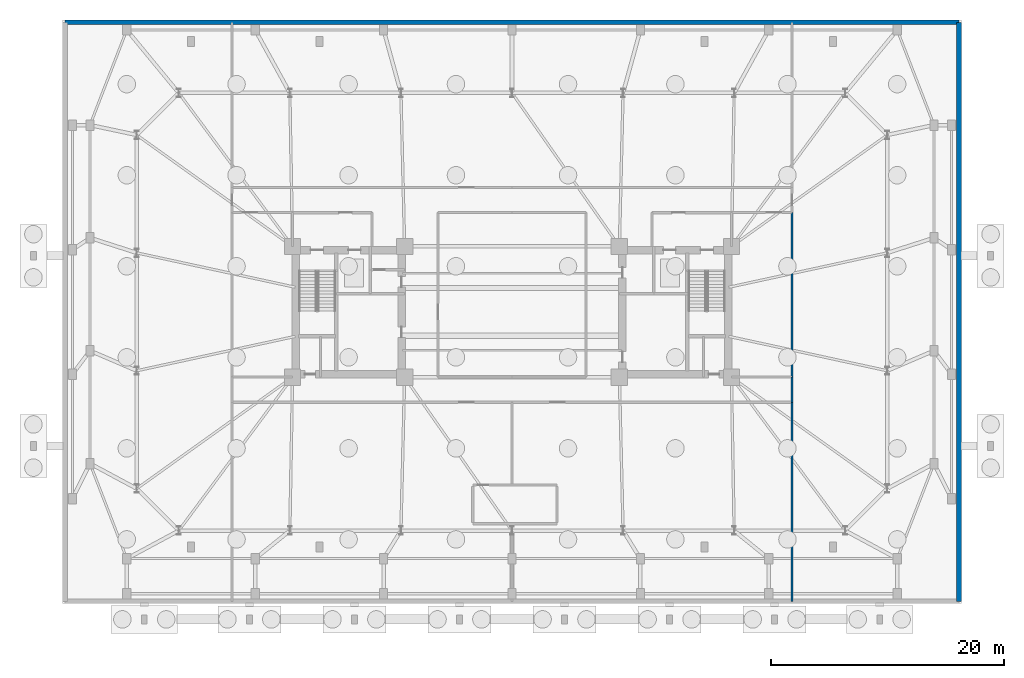
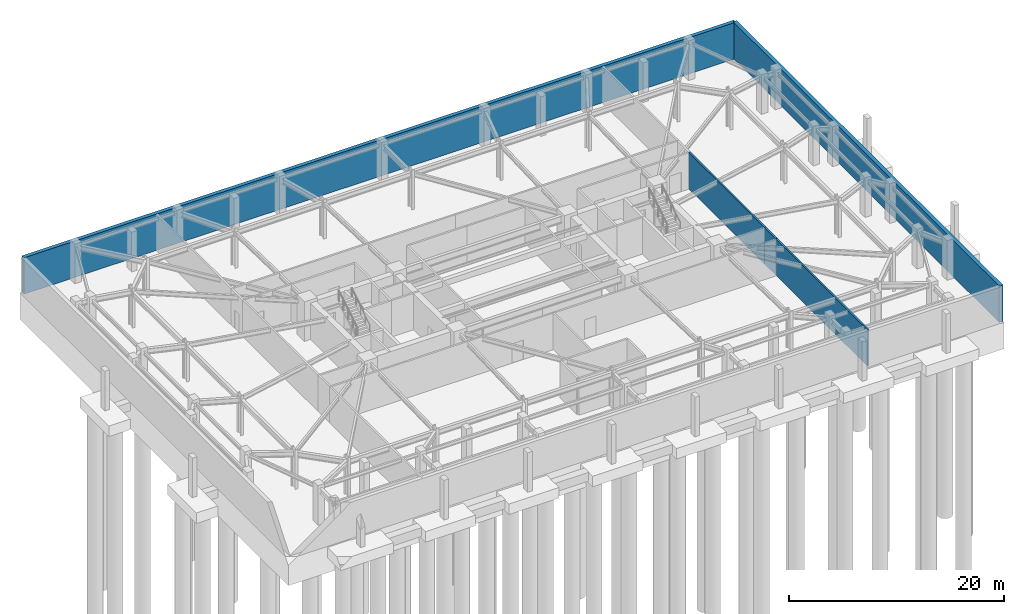
# One storey, part 11 of 15: 5 walls.
"""IFC4 building model written with IfcOpenShell, lengths in metres."""

import ifcopenshell
import ifcopenshell.guid

model = None  # the IFC model being written
_history = None  # IfcOwnerHistory: only IFC2X3 demands one
_inside = {}  # id of a spatial element -> (the spatial element, [elements in it])
_under = {}  # id of a project, library or spatial element -> (it, [spatial elements below it])
_declared = {}  # id of a project -> (the project, [libraries it declares])
_typed = {}  # id of a type object -> (the type object, [elements of that type])
_made_of = {}  # id of a material, layer set ... -> (it, [elements and type objects made of it])


def new_model(schema):
    """Start an empty IFC model of exactly this schema.

    Asked for "IFC4X3", IfcOpenShell would pick the latest addendum, in which some entities
    have other attributes; the version numbers below select the first issue.
    IFC2X3 requires an IfcOwnerHistory on every rooted entity: one is made here for all.
    """
    global model, _history
    if schema == "IFC4X3":
        model = ifcopenshell.file(schema_version=(4, 3, 0, 0))
    else:
        model = ifcopenshell.file(schema=schema)
    _inside.clear()
    _under.clear()
    _declared.clear()
    _typed.clear()
    _made_of.clear()
    _history = None
    if model.schema == "IFC2X3":
        org = make("IfcOrganization", Name="unknown")
        user = make(
            "IfcPersonAndOrganization",
            ThePerson=make("IfcPerson", FamilyName="unknown"),
            TheOrganization=org,
        )
        app = make(
            "IfcApplication",
            ApplicationDeveloper=org,
            Version="unknown",
            ApplicationFullName="unknown",
            ApplicationIdentifier="unknown",
        )
        _history = make(
            "IfcOwnerHistory",
            OwningUser=user,
            OwningApplication=app,
            ChangeAction="ADDED",
            CreationDate=0,
        )
    return model


def make(cls, **values):
    """One entity of the class cls with the attributes given. An attribute that is None is left unset."""
    return model.create_entity(
        cls, **{name: value for name, value in values.items() if value is not None}
    )


def rooted(cls, **values):
    """An entity with a GlobalId (a new one), such as an element, a storey or a relation."""
    return make(cls, GlobalId=ifcopenshell.guid.new(), OwnerHistory=_history, **values)


def si_unit(unit_type, name, prefix=None):
    """IfcSIUnit, for example si_unit("LENGTHUNIT", "METRE", prefix="MILLI")."""
    return make("IfcSIUnit", UnitType=unit_type, Prefix=prefix, Name=name)


def assignment(units):
    """IfcUnitAssignment: the units of a project."""
    return None if units is None else make("IfcUnitAssignment", Units=units)


def point(xyz):
    """IfcCartesianPoint."""
    return None if xyz is None else make("IfcCartesianPoint", Coordinates=xyz)


def direction(xyz):
    """IfcDirection."""
    return None if xyz is None else make("IfcDirection", DirectionRatios=xyz)


def frame(location, z_axis=None, x_axis=None):
    """IfcAxis2Placement3D, a coordinate frame: its origin and axes. An axis left out is left unset."""
    return make(
        "IfcAxis2Placement3D",
        Location=point(location),
        Axis=direction(z_axis),
        RefDirection=direction(x_axis),
    )


def frame_2d(location, x_axis=None):
    """IfcAxis2Placement2D, a coordinate frame in the plane: its origin and x axis."""
    return make(
        "IfcAxis2Placement2D", Location=point(location), RefDirection=direction(x_axis)
    )


def origin():
    """The frame at (0, 0, 0) with its axes left unset."""
    return frame((0.0, 0.0, 0.0))


def place(relative_to, where):
    """IfcLocalPlacement: puts the frame where relative to a parent placement (None: the world)."""
    return make(
        "IfcLocalPlacement", PlacementRelTo=relative_to, RelativePlacement=where
    )


def context(
    kind, dimensions, precision=None, world=None, true_north=None, identifier=None
):
    """IfcGeometricRepresentationContext, for example the 3D "Model" context."""
    return make(
        "IfcGeometricRepresentationContext",
        ContextIdentifier=identifier,
        ContextType=kind,
        CoordinateSpaceDimension=dimensions,
        Precision=precision,
        WorldCoordinateSystem=world,
        TrueNorth=true_north,
    )


def subcontext(parent, identifier, kind, view, scale=None):
    """IfcGeometricRepresentationSubContext, for example "Body" below "Model"."""
    return make(
        "IfcGeometricRepresentationSubContext",
        ContextIdentifier=identifier,
        ContextType=kind,
        ParentContext=parent,
        TargetScale=scale,
        TargetView=view,
    )


def project(units=None, contexts=None):
    """IfcProject with its units and contexts."""
    return rooted(
        "IfcProject",
        Name="project",
        RepresentationContexts=contexts,
        UnitsInContext=assignment(units),
    )


def spatial(cls, under=None, at=None, **own):
    """A site, building, storey or space (cls), placed at a placement, below another one or the project."""
    s = rooted(cls, ObjectPlacement=at, **own)
    if under is not None:
        _under.setdefault(under.id(), (under, []))[1].append(s)
    return s


def profile(cls, at=None, kind="AREA", **sizes):
    """A parametric profile (cls). Its sizes go by their IFC names, for example OverallWidth=200.0."""
    return make(cls, ProfileType=kind, Position=at, **sizes)


def rectangle(**sizes):
    """IfcRectangleProfileDef."""
    return profile("IfcRectangleProfileDef", **sizes)


def extrude(swept, where, along, depth):
    """IfcExtrudedAreaSolid: the profile swept, set in the frame where, extruded along a direction by depth."""
    return make(
        "IfcExtrudedAreaSolid",
        SweptArea=swept,
        Position=where,
        ExtrudedDirection=direction(along),
        Depth=depth,
    )


def shape(context_of_items, identifier, shape_type, items):
    """IfcShapeRepresentation: the items that make up one representation, for example the "Body"."""
    return make(
        "IfcShapeRepresentation",
        ContextOfItems=context_of_items,
        RepresentationIdentifier=identifier,
        RepresentationType=shape_type,
        Items=items,
    )


def material(Name=None, Category=None):
    """IfcMaterial."""
    return make("IfcMaterial", Name=Name, Category=Category)


def layer(
    of_material, thickness, ventilated=None, Name=None, Category=None, Priority=None
):
    """IfcMaterialLayer: one layer of a wall or slab, of a material (None: an air gap)."""
    return make(
        "IfcMaterialLayer",
        Material=of_material,
        LayerThickness=thickness,
        IsVentilated=ventilated,
        Name=Name,
        Category=Category,
        Priority=Priority,
    )


def layer_set(layers, Name=None):
    """IfcMaterialLayerSet."""
    return make("IfcMaterialLayerSet", MaterialLayers=layers, LayerSetName=Name)


def made_of(thing, what):
    """Note that an element or type object is made of a material, layer set ...; save() writes the relation."""
    if what is not None:
        _made_of.setdefault(what.id(), (what, []))[1].append(thing)
    return thing


def type_object(cls, material=None, **own):
    """A type object (cls), such as IfcWallType, which elements share."""
    return made_of(rooted(cls, **own), material)


def element(
    cls,
    number,
    at=None,
    inside=None,
    cuts=None,
    type_object=None,
    material=None,
    context=None,
    identifier="Body",
    shape_type=None,
    held_by="IfcProductDefinitionShape",
    body=None,
    shapes=None,
    **own,
):
    """One element of the class cls, such as IfcWall. Its Tag is "e" and its number.

    at: its placement. inside: the storey or other place that contains it. cuts: it is an
    opening in that element (IfcRelVoidsElement). A single representation is given by context,
    identifier, shape_type and body (its items); several are given by shapes. held_by: the class
    of the entity that holds the representations. save() writes the other relations.
    """
    e = rooted(cls, Tag="e%d" % number, ObjectPlacement=at, **own)
    if body is not None:
        shapes = [shape(context, identifier, shape_type, body)]
    if shapes is not None:
        e.Representation = make(held_by, Representations=shapes)
    if inside is not None:
        _inside.setdefault(inside.id(), (inside, []))[1].append(e)
    if cuts is not None:
        rooted(
            "IfcRelVoidsElement", RelatingBuildingElement=cuts, RelatedOpeningElement=e
        )
    if type_object is not None:
        _typed.setdefault(type_object.id(), (type_object, []))[1].append(e)
    return made_of(e, material)


def aggregate(whole, parts):
    """IfcRelAggregates: a whole, such as a stair, and the parts it consists of."""
    return rooted("IfcRelAggregates", RelatingObject=whole, RelatedObjects=parts)


def save(model, path):
    """Write the relations noted so far, then the file.

    IfcRelAggregates (storeys below a building ...), IfcRelContainedInSpatialStructure (elements
    in a storey), IfcRelDefinesByType, IfcRelAssociatesMaterial and IfcRelDeclares: one each for
    every whole, place, type object, material and project.
    """
    for whole, parts in _under.values():
        aggregate(whole, parts)
    for where, things in _inside.values():
        rooted(
            "IfcRelContainedInSpatialStructure",
            RelatedElements=things,
            RelatingStructure=where,
        )
    for kind, things in _typed.values():
        rooted("IfcRelDefinesByType", RelatedObjects=things, RelatingType=kind)
    for what, things in _made_of.values():
        rooted("IfcRelAssociatesMaterial", RelatedObjects=things, RelatingMaterial=what)
    for by, libraries in _declared.values():
        rooted("IfcRelDeclares", RelatingContext=by, RelatedDefinitions=libraries)
    model.write(path)


model = new_model("IFC4")

# Units and contexts
model_context = context("Model", 3, precision=1e-05, world=origin(), true_north=direction((0.0, 1.0)))
body_context = subcontext(model_context, "Body", "Model", "MODEL_VIEW")
ifc_project = project(units=[si_unit("LENGTHUNIT", "METRE"), si_unit("AREAUNIT", "SQUARE_METRE"), si_unit("VOLUMEUNIT", "CUBIC_METRE"), si_unit("PLANEANGLEUNIT", "RADIAN"), si_unit("MASSUNIT", "GRAM", prefix="KILO")], contexts=[model_context])

# Site, building, storey
site_placement = place(None, origin())
site = spatial("IfcSite", under=ifc_project, at=site_placement, CompositionType="ELEMENT")
building_placement = place(site_placement, origin())
building = spatial("IfcBuilding", under=site, at=building_placement, Name="Qobustan Lattice House", CompositionType="ELEMENT")
storey_placement = place(building_placement, frame((0.0, 0.0, -9.0)))
storey = spatial("IfcBuildingStorey", under=building, at=storey_placement, Name="B02", CompositionType="ELEMENT", Elevation=-9.0)

# Walls
ifc_material_1 = material(Name="Gypsum fireboard acoustic partition", Category="gypsum")
ifc_layer_1 = layer(ifc_material_1, 0.179931640625)
ifc_layer_set_1 = layer_set([ifc_layer_1], Name="Gypsum fireboard acoustic partition")
wall_type_1 = type_object("IfcWallType", Name="WAL-FIRE-180", PredefinedType="PARTITIONING", material=ifc_layer_set_1)
wall_1_placement = place(storey_placement, frame((24.0, -5.60009765625, 0.0), z_axis=(0.0, 0.0, 1.0), x_axis=(0.0, -1.0, 0.0)))
element("IfcWall", 1, at=wall_1_placement, inside=storey, type_object=wall_type_1, Name="B02 interior partition 34", PredefinedType="PARTITIONING", context=body_context, shape_type="SweptSolid", body=[
    extrude(rectangle(XDim=2.14990234375, YDim=0.179931640625, at=frame_2d((1.074951171875, 0.0))), origin(), (0.0, 0.0, 1.0), 4.139892578125),
])
wall_2_placement = place(storey_placement, frame((24.0, -7.75, 0.0), z_axis=(0.0, 0.0, 1.0), x_axis=(0.0, -1.0, 0.0)))
element("IfcWall", 2, at=wall_2_placement, inside=storey, type_object=wall_type_1, Name="B02 interior partition 43", PredefinedType="PARTITIONING", context=body_context, shape_type="SweptSolid", body=[
    extrude(rectangle(XDim=17.050048828125, YDim=0.179931640625, at=frame_2d((8.52490234375, 0.0))), origin(), (0.0, 0.0, 1.0), 4.139892578125),
])
wall_3_placement = place(storey_placement, frame((24.0, 8.5, 0.0), z_axis=(0.0, 0.0, 1.0), x_axis=(0.0, -1.0, 0.0)))
element("IfcWall", 3, at=wall_3_placement, inside=storey, type_object=wall_type_1, Name="B02 interior partition 44", PredefinedType="PARTITIONING", context=body_context, shape_type="SweptSolid", body=[
    extrude(rectangle(XDim=14.10009765625, YDim=0.179931640625, at=frame_2d((7.050048828125, 0.0))), origin(), (0.0, 0.0, 1.0), 4.139892578125),
])
ifc_material_2 = material(Name="Concrete C50/60", Category="concrete")
ifc_layer_2 = layer(ifc_material_2, 0.39990234375)
ifc_layer_set_2 = layer_set([ifc_layer_2], Name="Concrete C50/60")
wall_type_2 = type_object("IfcWallType", Name="WAL-SUB-RET-400", PredefinedType="SOLIDWALL", material=ifc_layer_set_2)
wall_4_placement = place(storey_placement, frame((-38.300048828125, 24.800048828125, 0.0), z_axis=(0.0, 0.0, 1.0), x_axis=(1.0, 0.0, 0.0)))
element("IfcWall", 4, at=wall_4_placement, inside=storey, type_object=wall_type_2, Name="B02 substructure retaining wall 2", PredefinedType="SOLIDWALL", context=body_context, shape_type="SweptSolid", body=[
    extrude(rectangle(XDim=76.60009765625, YDim=0.39990234375, at=frame_2d((38.300048828125, 0.0))), origin(), (0.0, 0.0, 1.0), 4.139892578125),
])
wall_5_placement = place(storey_placement, frame((38.300048828125, 24.800048828125, 0.0), z_axis=(0.0, 0.0, 1.0), x_axis=(0.0, -1.0, 0.0)))
element("IfcWall", 5, at=wall_5_placement, inside=storey, type_object=wall_type_2, Name="B02 substructure retaining wall 3", PredefinedType="SOLIDWALL", context=body_context, shape_type="SweptSolid", body=[
    extrude(rectangle(XDim=49.60009765625, YDim=0.39990234375, at=frame_2d((24.800048828125, 0.0))), origin(), (0.0, 0.0, 1.0), 4.139892578125),
])

save(model, "model.ifc")
